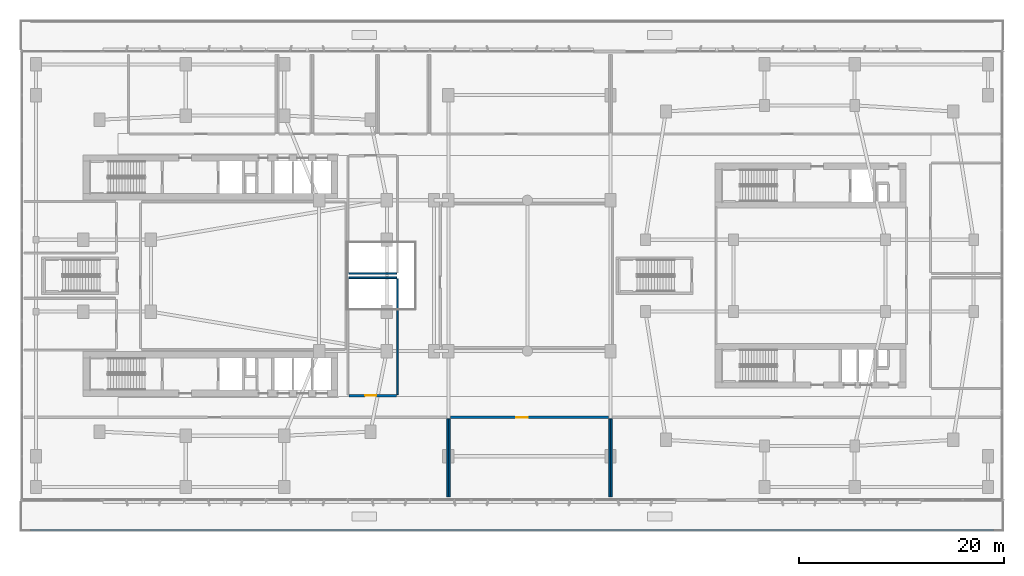
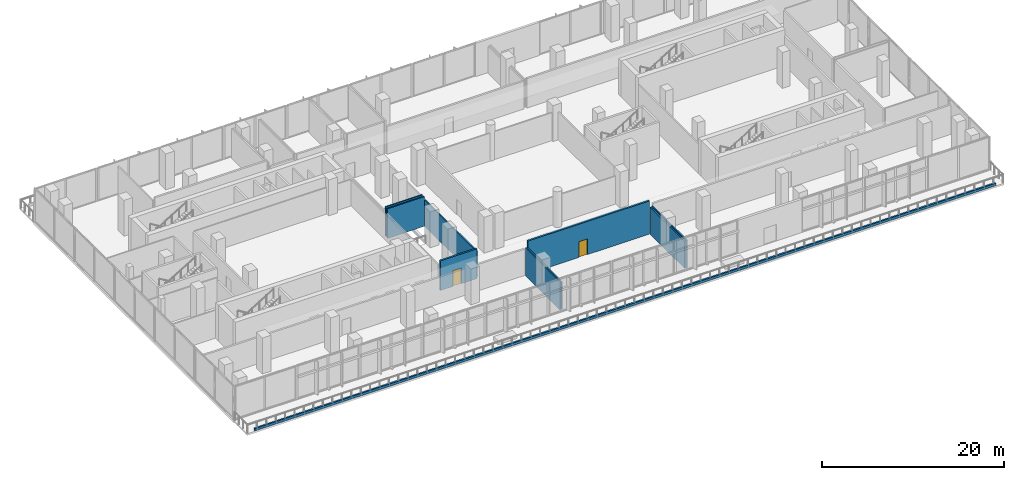
# One storey, part 12 of 30: 10 walls, 2 doors, 2 openings.
"""IFC4 building model written with IfcOpenShell, lengths in metres."""

from ifc_helpers import new_model, si_unit, derived_unit, direction, frame, frame_2d, origin, place, context, subcontext, project, spatial, rectangle, extrude, material, layer, layer_set, type_object, element, fill, save


model = new_model("IFC4")

# Units and contexts
model_context = context("Model", 3, precision=1e-05, world=origin(), true_north=direction((0.0, 1.0)))
body_context = subcontext(model_context, "Body", "Model", "MODEL_VIEW")
ifc_project = project(units=[si_unit("LENGTHUNIT", "METRE"), si_unit("AREAUNIT", "SQUARE_METRE"), si_unit("VOLUMEUNIT", "CUBIC_METRE"), si_unit("PLANEANGLEUNIT", "RADIAN"), si_unit("MASSUNIT", "GRAM", prefix="KILO"), derived_unit("THERMALTRANSMITTANCEUNIT", [(si_unit("POWERUNIT", "WATT"), 1), (si_unit("LENGTHUNIT", "METRE"), -2), (si_unit("THERMODYNAMICTEMPERATUREUNIT", "KELVIN"), -1)])], contexts=[model_context])

# Site, building, storey
site_placement = place(None, origin())
site = spatial("IfcSite", under=ifc_project, at=site_placement, CompositionType="ELEMENT")
building_placement = place(site_placement, origin())
building = spatial("IfcBuilding", under=site, at=building_placement, Name="Kivonza Crest Hotel", CompositionType="ELEMENT")
storey_placement = place(building_placement, frame((0.0, 0.0, 10.199951171875)))
storey = spatial("IfcBuildingStorey", under=building, at=storey_placement, Name="L02", CompositionType="ELEMENT", Elevation=10.199951171875)

# Wall, opening, door
ifc_material_1 = material(Name="Autoclaved aerated concrete blockwork", Category="masonry")
ifc_layer_1 = layer(ifc_material_1, 0.219970703125)
ifc_layer_set_1 = layer_set([ifc_layer_1], Name="Autoclaved aerated concrete blockwork")
wall_type_1 = type_object("IfcWallType", Name="WL-ACOU-220", PredefinedType="SOLIDWALL", material=ifc_layer_set_1)
wall_1_placement = place(storey_placement, frame((42.0, 11.199951171875, 0.0), z_axis=(0.0, 0.0, 1.0), x_axis=(1.0, 0.0, 0.0)))
wall_1 = element("IfcWall", 1, at=wall_1_placement, inside=storey, type_object=wall_type_1, Name="L02 interior partition WA-L02-MID-FOY-N", PredefinedType="SOLIDWALL", context=body_context, shape_type="SweptSolid", body=[
    extrude(rectangle(XDim=15.39990234375, YDim=0.219970703125, at=frame_2d((7.699951171875, 0.0))), origin(), (0.0, 0.0, 1.0), 4.449951171875),
])
opening_1_placement = place(wall_1_placement, frame((6.425048828125, 0.0, 0.0)))
opening_1 = element("IfcOpeningElement", 2, at=opening_1_placement, cuts=wall_1, Name="Opening DF-60M", PredefinedType="OPENING", context=body_context, shape_type="SweptSolid", body=[
    extrude(rectangle(XDim=1.10009765625, YDim=2.10009765625, at=frame_2d((0.550048828125, 1.050048828125))), frame((0.0, 0.1201171875, 0.0), z_axis=(0.0, -1.0, 0.0), x_axis=(1.0, 0.0, 0.0)), (0.0, 0.0, 1.0), 0.239990234375),
])
ifc_material_2 = material(Name="Hardwood timber oak", Category="wood")
door_type = type_object("IfcDoorType", Name="DR-FD60-1100", OperationType="NOTDEFINED", PredefinedType="DOOR", material=ifc_material_2)
door_1_placement = place(opening_1_placement, frame((1.10009765625, 0.0, 0.0), z_axis=(0.0, 0.0, 1.0), x_axis=(-1.0, 0.0, 0.0)))
door_1 = element("IfcDoor", 3, at=door_1_placement, inside=storey, type_object=door_type, Name="L02 Central Terrace Salon door", OperationType="SINGLE_SWING_LEFT", OverallHeight=2.10009765625, OverallWidth=1.10009765625, PredefinedType="DOOR", context=body_context, shape_type="SweptSolid", body=[
    extrude(rectangle(XDim=1.10009765625, YDim=2.10009765625, at=frame_2d((0.550048828125, 1.050048828125))), frame((0.0, 0.02490234375, 0.0), z_axis=(0.0, -1.0, 0.0), x_axis=(1.0, 0.0, 0.0)), (0.0, 0.0, 1.0), 0.050048828125),
])
fill(opening_1, door_1)

wall_2_placement = place(storey_placement, frame((32.10009765625, 13.300048828125, 0.0), z_axis=(0.0, 0.0, 1.0), x_axis=(1.0, 0.0, 0.0)))
wall_2 = element("IfcWall", 4, at=wall_2_placement, inside=storey, type_object=wall_type_1, Name="L02 interior partition WA-L02-BAL-GRN1-S", PredefinedType="SOLIDWALL", context=body_context, shape_type="SweptSolid", body=[
    extrude(rectangle(XDim=4.64990234375, YDim=0.219970703125, at=frame_2d((2.324951171875, 0.0))), origin(), (0.0, 0.0, 1.0), 3.97509765625),
])
opening_2_placement = place(wall_2_placement, frame((1.587890625, 0.0, 0.0)))
opening_2 = element("IfcOpeningElement", 5, at=opening_2_placement, cuts=wall_2, Name="Opening DF-60M", PredefinedType="OPENING", context=body_context, shape_type="SweptSolid", body=[
    extrude(rectangle(XDim=1.10009765625, YDim=2.10009765625, at=frame_2d((0.550048828125, 1.050048828125))), frame((0.0, 0.1201171875, 0.0), z_axis=(0.0, -1.0, 0.0), x_axis=(1.0, 0.0, 0.0)), (0.0, 0.0, 1.0), 0.239990234375),
])
door_2_placement = place(opening_2_placement, origin())
door_2 = element("IfcDoor", 6, at=door_2_placement, inside=storey, type_object=door_type, Name="L02 Ballroom Green Salon South door", OperationType="SINGLE_SWING_LEFT", OverallHeight=2.10009765625, OverallWidth=1.10009765625, PredefinedType="DOOR", context=body_context, shape_type="SweptSolid", body=[
    extrude(rectangle(XDim=1.10009765625, YDim=2.10009765625, at=frame_2d((0.550048828125, 1.050048828125))), frame((0.0, 0.02490234375, 0.0), z_axis=(0.0, -1.0, 0.0), x_axis=(1.0, 0.0, 0.0)), (0.0, 0.0, 1.0), 0.050048828125),
])
fill(opening_2, door_2)

# Walls
ifc_material_3 = material(Name="Precast concrete C40/50", Category="concrete")
ifc_layer_2 = layer(ifc_material_3, 0.199951171875)
ifc_layer_set_2 = layer_set([ifc_layer_2], Name="Precast concrete C40/50")
wall_type_2 = type_object("IfcWallType", Name="WL-PARAPET-200", PredefinedType="PARAPET", material=ifc_layer_set_2)
wall_3_placement = place(storey_placement, frame((1.080078125, 0.22998046875, 0.0), z_axis=(0.0, 0.0, 1.0), x_axis=(1.0, 0.0, 0.0)))
element("IfcWall", 7, at=wall_3_placement, inside=storey, type_object=wall_type_2, Name="L02 podium terrace edge parapet kerb 1", PredefinedType="PARAPET", context=body_context, shape_type="SweptSolid", body=[
    extrude(rectangle(XDim=93.83984375, YDim=0.199951171875, at=frame_2d((46.919921875, 0.0))), origin(), (0.0, 0.0, 1.0), 0.320068359375),
])
ifc_material_4 = material(Name="Twin-stud acoustic gypsum board partition", Category="gypsum")
ifc_layer_3 = layer(ifc_material_4, 0.14990234375)
ifc_layer_set_3 = layer_set([ifc_layer_3], Name="Twin-stud acoustic gypsum board partition")
wall_type_3 = type_object("IfcWallType", Name="WL-PART-150", PredefinedType="PARTITIONING", material=ifc_layer_set_3)
wall_4_placement = place(storey_placement, frame((41.699951171875, 3.449951171875, 0.0), z_axis=(0.0, 0.0, 1.0), x_axis=(0.0, 1.0, 0.0)))
element("IfcWall", 8, at=wall_4_placement, inside=storey, type_object=wall_type_3, Name="L02 interior partition WP-L02-BAL-FOY-BE", PredefinedType="PARTITIONING", context=body_context, shape_type="SweptSolid", body=[
    extrude(rectangle(XDim=7.60009765625, YDim=0.14990234375, at=frame_2d((3.800048828125, 0.0))), origin(), (0.0, 0.0, 1.0), 3.72509765625),
])
for number, where, z_axis, x_axis, name in (
    (9, (41.89990234375, 3.449951171875, 0.0), (0.0, 0.0, 1.0), (0.0, 1.0, 0.0), "L02 interior partition WP-L02-MID-FOY-BW"),
    (10, (57.5, 3.449951171875, 0.0), (0.0, 0.0, 1.0), (0.0, 1.0, 0.0), "L02 interior partition WP-L02-MID-FOY-BE"),
):
    element("IfcWall", number, at=place(storey_placement, frame(where, z_axis=z_axis, x_axis=x_axis)), inside=storey, type_object=wall_type_3, Name=name, PredefinedType="PARTITIONING", context=body_context, shape_type="SweptSolid", body=[
        extrude(rectangle(XDim=7.60009765625, YDim=0.14990234375, at=frame_2d((3.800048828125, 0.0))), origin(), (0.0, 0.0, 1.0), 3.625),
    ])
wall_5_placement = place(storey_placement, frame((57.699951171875, 3.449951171875, 0.0), z_axis=(0.0, 0.0, 1.0), x_axis=(0.0, 1.0, 0.0)))
element("IfcWall", 11, at=wall_5_placement, inside=storey, type_object=wall_type_3, Name="L02 interior partition WP-L02-RES-TER-BW", PredefinedType="PARTITIONING", context=body_context, shape_type="SweptSolid", body=[
    extrude(rectangle(XDim=7.60009765625, YDim=0.14990234375, at=frame_2d((3.800048828125, 0.0))), origin(), (0.0, 0.0, 1.0), 3.72509765625),
])
wall_6_placement = place(storey_placement, frame((36.85009765625, 13.39990234375, 0.0), z_axis=(0.0, 0.0, 1.0), x_axis=(0.0, 1.0, 0.0)))
element("IfcWall", 12, at=wall_6_placement, inside=storey, type_object=wall_type_3, Name="L02 interior partition WP-L02-BAL-GRN1-BE", PredefinedType="PARTITIONING", context=body_context, shape_type="SweptSolid", body=[
    extrude(rectangle(XDim=11.300048828125, YDim=0.14990234375, at=frame_2d((5.64990234375, 0.0))), origin(), (0.0, 0.0, 1.0), 3.525146484375),
])
for number, where, z_axis, x_axis, name in (
    (13, (32.10009765625, 24.800048828125, 0.0), (0.0, 0.0, 1.0), (1.0, 0.0, 0.0), "L02 interior partition WP-L02-BAL-GRN1-BN"),
    (14, (32.10009765625, 25.199951171875, 0.0), (0.0, 0.0, 1.0), (1.0, 0.0, 0.0), "L02 interior partition WP-L02-BAL-GRN2-BS"),
):
    element("IfcWall", number, at=place(storey_placement, frame(where, z_axis=z_axis, x_axis=x_axis)), inside=storey, type_object=wall_type_3, Name=name, PredefinedType="PARTITIONING", context=body_context, shape_type="SweptSolid", body=[
        extrude(rectangle(XDim=4.64990234375, YDim=0.14990234375, at=frame_2d((2.324951171875, 0.0))), origin(), (0.0, 0.0, 1.0), 3.97509765625),
    ])

save(model, "model.ifc")
